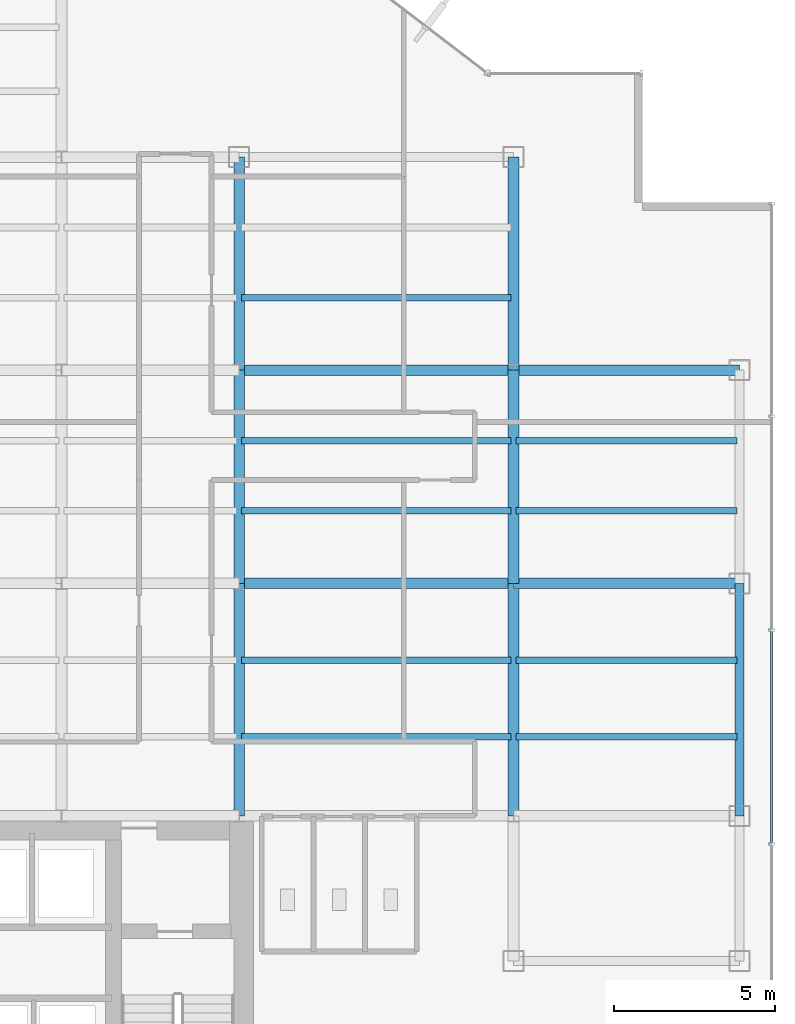
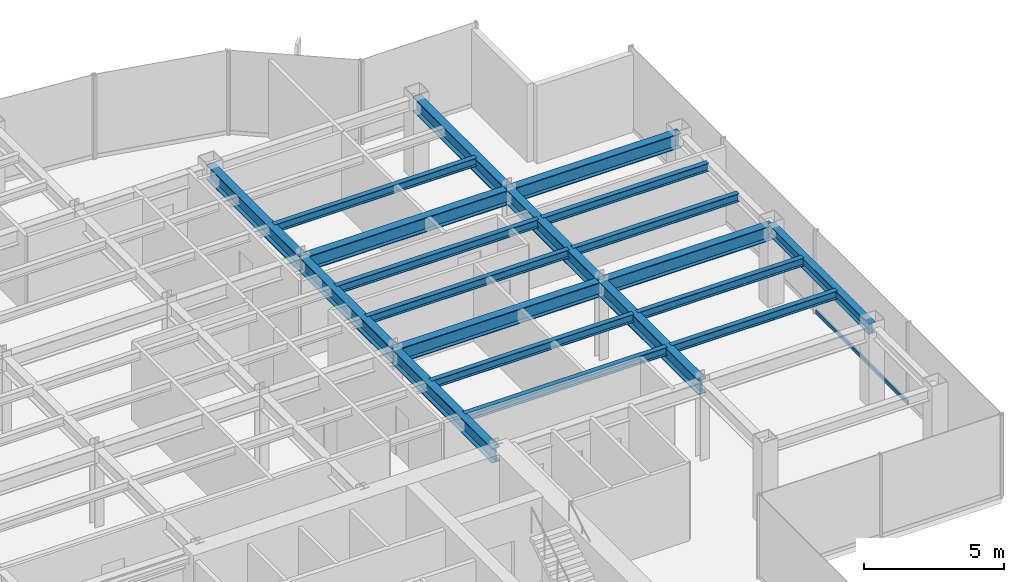
# One storey, part 12 of 25: 20 beams, 1 member, 1 element without a shape of its own.
"""IFC4 building model written with IfcOpenShell, lengths in metres."""

from ifc_helpers import new_model, si_unit, derived_unit, direction, frame, origin, origin_2d, place, context, subcontext, project, spatial, hollow_rectangle, i_section, extrude, source, transform, mapped, material, material_profile, profile_set, type_object, element, aggregate, save


model = new_model("IFC4")

# Units and contexts
model_context = context("Model", 3, precision=1e-05, world=origin(), true_north=direction((0.0, 1.0)))
body_context = subcontext(model_context, "Body", "Model", "MODEL_VIEW")
ifc_project = project(units=[si_unit("LENGTHUNIT", "METRE"), si_unit("AREAUNIT", "SQUARE_METRE"), si_unit("VOLUMEUNIT", "CUBIC_METRE"), si_unit("PLANEANGLEUNIT", "RADIAN"), si_unit("MASSUNIT", "GRAM", prefix="KILO"), derived_unit("THERMALTRANSMITTANCEUNIT", [(si_unit("POWERUNIT", "WATT"), 1), (si_unit("LENGTHUNIT", "METRE"), -2), (si_unit("THERMODYNAMICTEMPERATUREUNIT", "KELVIN"), -1)])], contexts=[model_context])

# Site, building, storey
site_placement = place(None, origin())
site = spatial("IfcSite", under=ifc_project, at=site_placement, CompositionType="ELEMENT")
building_placement = place(site_placement, origin())
building = spatial("IfcBuilding", under=site, at=building_placement, Name="Skarnbrae Concourse Arena and Tower", CompositionType="ELEMENT")
storey_placement = place(building_placement, frame((0.0, 0.0, 166.14990234375)))
storey = spatial("IfcBuildingStorey", under=building, at=storey_placement, Name="L42", CompositionType="ELEMENT", Elevation=166.14990234375)

# Beams
ifc_material_1 = material(Name="Steel CSA G40.21 350W", Category="steel")
ifc_material_profile_1 = material_profile(ifc_material_1, i_section(OverallWidth=0.3291015625, OverallDepth=0.635009765625, WebThickness=0.017822265625, FlangeThickness=0.031005859375, at=origin_2d()), Name="W610X241")
ifc_profile_set_1 = profile_set([ifc_material_profile_1], Name="Steel CSA G40.21 350W")
beam_type_1 = type_object("IfcBeamType", Name="BM-GIRD-W610X241", PredefinedType="BEAM", material=ifc_profile_set_1)
shared_shape_1 = source(origin(), body_context, "Body", "SweptSolid", [
    extrude(i_section(OverallWidth=0.3291015625, OverallDepth=0.635009765625, WebThickness=0.017822265625, FlangeThickness=0.031005859375, at=origin_2d()), origin(), (0.0, 0.0, 1.0), 6.60009765625),
])
for number, where, z_axis, x_axis, name in (
    (1, (33.5, 21.199951171875, 3.08251953125), (0.0, 1.0, 0.0), (-1.0, 0.0, 0.0), "L42 Primary N-S girder X33.5-2"),
    (2, (42.0, 21.199951171875, 3.08251953125), (0.0, 1.0, 0.0), (-1.0, 0.0, 0.0), "L42 Primary N-S girder X42.0-3"),
):
    element("IfcBeam", number, at=place(storey_placement, frame(where, z_axis=z_axis, x_axis=x_axis)), inside=storey, type_object=beam_type_1, Name=name, PredefinedType="BEAM", context=body_context, shape_type="MappedRepresentation", body=[
        mapped(shared_shape_1, transform((0.0, 0.0, 0.0))),
    ])
shared_shape_2 = source(origin(), body_context, "Body", "SweptSolid", [
    extrude(i_section(OverallWidth=0.3291015625, OverallDepth=0.635009765625, WebThickness=0.017822265625, FlangeThickness=0.031005859375, at=origin_2d()), origin(), (0.0, 0.0, 1.0), 8.5),
])
for number, where, z_axis, x_axis, name in (
    (3, (33.5, 21.199951171875, 3.08251953125), (1.0, 0.0, 0.0), (0.0, 1.0, 0.0), "L42 Primary E-W girder Y21.2-6"),
    (4, (33.5, 27.800048828125, 3.08251953125), (1.0, 0.0, 0.0), (0.0, 1.0, 0.0), "L42 Primary E-W girder Y27.8-6"),
):
    element("IfcBeam", number, at=place(storey_placement, frame(where, z_axis=z_axis, x_axis=x_axis)), inside=storey, type_object=beam_type_1, Name=name, PredefinedType="BEAM", context=body_context, shape_type="MappedRepresentation", body=[
        mapped(shared_shape_2, transform((0.0, 0.0, 0.0))),
    ])
shared_shape_3 = source(origin(), body_context, "Body", "SweptSolid", [
    extrude(i_section(OverallWidth=0.3291015625, OverallDepth=0.635009765625, WebThickness=0.017822265625, FlangeThickness=0.031005859375, at=origin_2d()), origin(), (0.0, 0.0, 1.0), 7.0),
])
for number, where, z_axis, x_axis, name in (
    (5, (42.0, 21.199951171875, 3.08251953125), (1.0, 0.0, 0.0), (0.0, 1.0, 0.0), "L42 Primary E-W girder Y21.2-7"),
    (6, (42.0, 27.800048828125, 3.08251953125), (1.0, 0.0, 0.0), (0.0, 1.0, 0.0), "L42 Primary E-W girder Y27.8-7"),
):
    element("IfcBeam", number, at=place(storey_placement, frame(where, z_axis=z_axis, x_axis=x_axis)), inside=storey, type_object=beam_type_1, Name=name, PredefinedType="BEAM", context=body_context, shape_type="MappedRepresentation", body=[
        mapped(shared_shape_3, transform((0.0, 0.0, 0.0))),
    ])
ifc_material_profile_2 = material_profile(ifc_material_1, i_section(OverallWidth=0.280029296875, OverallDepth=0.462890625, WebThickness=0.0107421875, FlangeThickness=0.017333984375, at=origin_2d()), Name="W460X113")
ifc_profile_set_2 = profile_set([ifc_material_profile_2], Name="Steel CSA G40.21 350W")
beam_type_2 = type_object("IfcBeamType", Name="BM-SPAN-W460X113", PredefinedType="SPANDREL", material=ifc_profile_set_2)
shared_shape_4 = source(origin(), body_context, "Body", "SweptSolid", [
    extrude(i_section(OverallWidth=0.280029296875, OverallDepth=0.462890625, WebThickness=0.0107421875, FlangeThickness=0.017333984375, at=origin_2d()), origin(), (0.0, 0.0, 1.0), 7.199951171875),
])
beam_placement = place(storey_placement, frame((49.0, 14.0, 3.168701171875), z_axis=(0.0, 1.0, 0.0), x_axis=(-1.0, 0.0, 0.0)))
element("IfcBeam", 7, at=beam_placement, inside=storey, type_object=beam_type_2, Name="L42 Perimeter spandrel X49.0-2", PredefinedType="SPANDREL", context=body_context, shape_type="MappedRepresentation", body=[
    mapped(shared_shape_4, transform((0.0, 0.0, 0.0))),
])
shared_shape_5 = source(origin(), body_context, "Body", "SweptSolid", [
    extrude(i_section(OverallWidth=0.3291015625, OverallDepth=0.635009765625, WebThickness=0.017822265625, FlangeThickness=0.031005859375, at=origin_2d()), origin(), (0.0, 0.0, 1.0), 7.199951171875),
])
for number, where, z_axis, x_axis, name in (
    (8, (33.5, 14.0, 3.08251953125), (0.0, 1.0, 0.0), (-1.0, 0.0, 0.0), "L42 Primary N-S girder X33.5-1"),
    (9, (42.0, 14.0, 3.08251953125), (0.0, 1.0, 0.0), (-1.0, 0.0, 0.0), "L42 Primary N-S girder X42.0-2"),
):
    element("IfcBeam", number, at=place(storey_placement, frame(where, z_axis=z_axis, x_axis=x_axis)), inside=storey, type_object=beam_type_1, Name=name, PredefinedType="BEAM", context=body_context, shape_type="MappedRepresentation", body=[
        mapped(shared_shape_5, transform((0.0, 0.0, 0.0))),
    ])
shared_shape_6 = source(origin(), body_context, "Body", "SweptSolid", [
    extrude(i_section(OverallWidth=0.3291015625, OverallDepth=0.635009765625, WebThickness=0.017822265625, FlangeThickness=0.031005859375, at=origin_2d()), origin(), (0.0, 0.0, 1.0), 6.599853515625),
])
for number, where, z_axis, x_axis, name in (
    (10, (33.5, 27.800048828125, 3.08251953125), (0.0, 1.0, 0.0), (-1.0, 0.0, 0.0), "L42 Primary N-S girder X33.5-3"),
    (11, (42.0, 27.800048828125, 3.08251953125), (0.0, 1.0, 0.0), (-1.0, 0.0, 0.0), "L42 Primary N-S girder X42.0-4"),
):
    element("IfcBeam", number, at=place(storey_placement, frame(where, z_axis=z_axis, x_axis=x_axis)), inside=storey, type_object=beam_type_1, Name=name, PredefinedType="BEAM", context=body_context, shape_type="MappedRepresentation", body=[
        mapped(shared_shape_6, transform((0.0, 0.0, 0.0))),
    ])
ifc_material_profile_3 = material_profile(ifc_material_1, i_section(OverallWidth=0.205078125, OverallDepth=0.35400390625, WebThickness=0.009521484375, FlangeThickness=0.016845703125, at=origin_2d()), Name="W360X79")
ifc_profile_set_3 = profile_set([ifc_material_profile_3], Name="Steel CSA G40.21 350W")
beam_type_3 = type_object("IfcBeamType", Name="BM-JOIST-W360X79", PredefinedType="JOIST", material=ifc_profile_set_3)
shared_shape_7 = source(origin(), body_context, "Body", "SweptSolid", [
    extrude(i_section(OverallWidth=0.205078125, OverallDepth=0.35400390625, WebThickness=0.009521484375, FlangeThickness=0.016845703125, at=origin_2d()), origin(), (0.0, 0.0, 1.0), 8.33984375),
])
for number, where, z_axis, x_axis, name in (
    (12, (33.580078125, 16.447998046875, 3.22314453125), (1.0, 0.0, 0.0), (0.0, 1.0, 0.0), "L42 Secondary floor joist 1.1.6"),
    (13, (33.580078125, 18.823974609375, 3.22314453125), (1.0, 0.0, 0.0), (0.0, 1.0, 0.0), "L42 Secondary floor joist 1.2.6"),
    (14, (33.580078125, 23.444091796875, 3.22314453125), (1.0, 0.0, 0.0), (0.0, 1.0, 0.0), "L42 Secondary floor joist 2.1.6"),
    (15, (33.580078125, 25.6220703125, 3.22314453125), (1.0, 0.0, 0.0), (0.0, 1.0, 0.0), "L42 Secondary floor joist 2.2.6"),
    (16, (33.580078125, 30.0439453125, 3.22314453125), (1.0, 0.0, 0.0), (0.0, 1.0, 0.0), "L42 Secondary floor joist 3.1.5"),
):
    element("IfcBeam", number, at=place(storey_placement, frame(where, z_axis=z_axis, x_axis=x_axis)), inside=storey, type_object=beam_type_3, Name=name, PredefinedType="JOIST", context=body_context, shape_type="MappedRepresentation", body=[
        mapped(shared_shape_7, transform((0.0, 0.0, 0.0))),
    ])
shared_shape_8 = source(origin(), body_context, "Body", "SweptSolid", [
    extrude(i_section(OverallWidth=0.205078125, OverallDepth=0.35400390625, WebThickness=0.009521484375, FlangeThickness=0.016845703125, at=origin_2d()), origin(), (0.0, 0.0, 1.0), 6.83984375),
])
for number, where, z_axis, x_axis, name in (
    (17, (42.080078125, 16.447998046875, 3.22314453125), (1.0, 0.0, 0.0), (0.0, 1.0, 0.0), "L42 Secondary floor joist 1.1.7"),
    (18, (42.080078125, 18.823974609375, 3.22314453125), (1.0, 0.0, 0.0), (0.0, 1.0, 0.0), "L42 Secondary floor joist 1.2.7"),
    (19, (42.080078125, 23.444091796875, 3.22314453125), (1.0, 0.0, 0.0), (0.0, 1.0, 0.0), "L42 Secondary floor joist 2.1.7"),
    (20, (42.080078125, 25.6220703125, 3.22314453125), (1.0, 0.0, 0.0), (0.0, 1.0, 0.0), "L42 Secondary floor joist 2.2.7"),
):
    element("IfcBeam", number, at=place(storey_placement, frame(where, z_axis=z_axis, x_axis=x_axis)), inside=storey, type_object=beam_type_3, Name=name, PredefinedType="JOIST", context=body_context, shape_type="MappedRepresentation", body=[
        mapped(shared_shape_8, transform((0.0, 0.0, 0.0))),
    ])

# Curtain wall, member
ifc_material_2 = material(Name="Bronze anodised aluminium 6063-T6", Category="aluminium")
curtain_wall_type = type_object("IfcCurtainWallType", Name="CW-SYS-04-MIDZONE", PredefinedType="USERDEFINED", material=ifc_material_2)
curtain_wall_placement = place(storey_placement, origin())
curtain_wall = element("IfcCurtainWall", 21, at=curtain_wall_placement, inside=storey, type_object=curtain_wall_type, Name="L42 Unitised curtain wall CW-L42-E04", ObjectType="UNITISED CURTAIN WALL", PredefinedType="USERDEFINED")
ifc_material_profile_4 = material_profile(ifc_material_2, hollow_rectangle(XDim=0.074951171875, YDim=0.159912109375, WallThickness=0.00439453125, at=origin_2d()), Name="ALU-TRAN-75X160")
ifc_profile_set_4 = profile_set([ifc_material_profile_4], Name="Bronze anodised aluminium 6063-T6")
member_type = type_object("IfcMemberType", Name="CWT-CW-04", PredefinedType="USERDEFINED", material=ifc_profile_set_4)
shared_shape_9 = source(origin(), body_context, "Body", "SweptSolid", [
    extrude(hollow_rectangle(XDim=0.074951171875, YDim=0.159912109375, WallThickness=0.00439453125, at=origin_2d()), origin(), (0.0, 0.0, 1.0), 6.5498046875),
])
member_placement = place(storey_placement, frame((50.0, 13.16259765625, 0.080078125), z_axis=(0.0, 1.0, 0.0), x_axis=(-1.0, 0.0, 0.0)))
member = element("IfcMember", 22, at=member_placement, type_object=member_type, Name="CW-L42-E04 Transom 2", ObjectType="TRANSOM", PredefinedType="USERDEFINED", context=body_context, shape_type="MappedRepresentation", body=[
    mapped(shared_shape_9, transform((0.0, 0.0, 0.0))),
])
aggregate(curtain_wall, [member])

save(model, "model.ifc")
